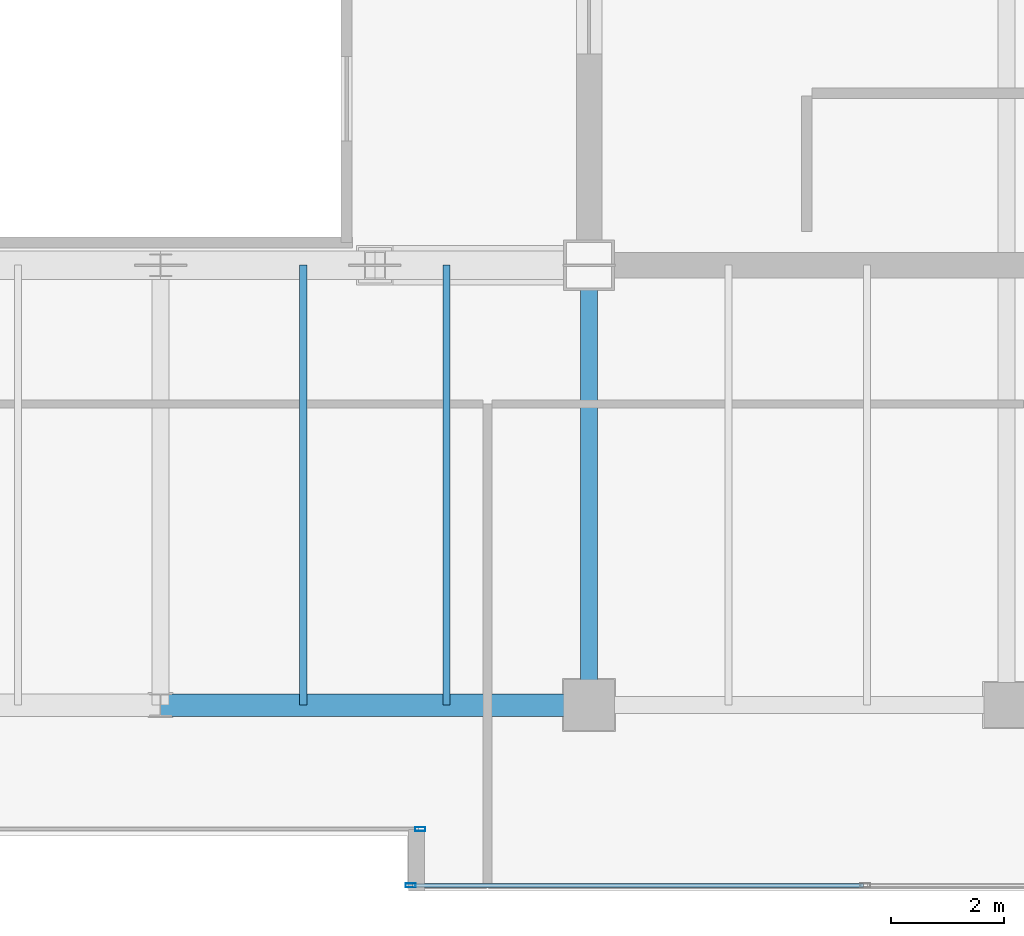
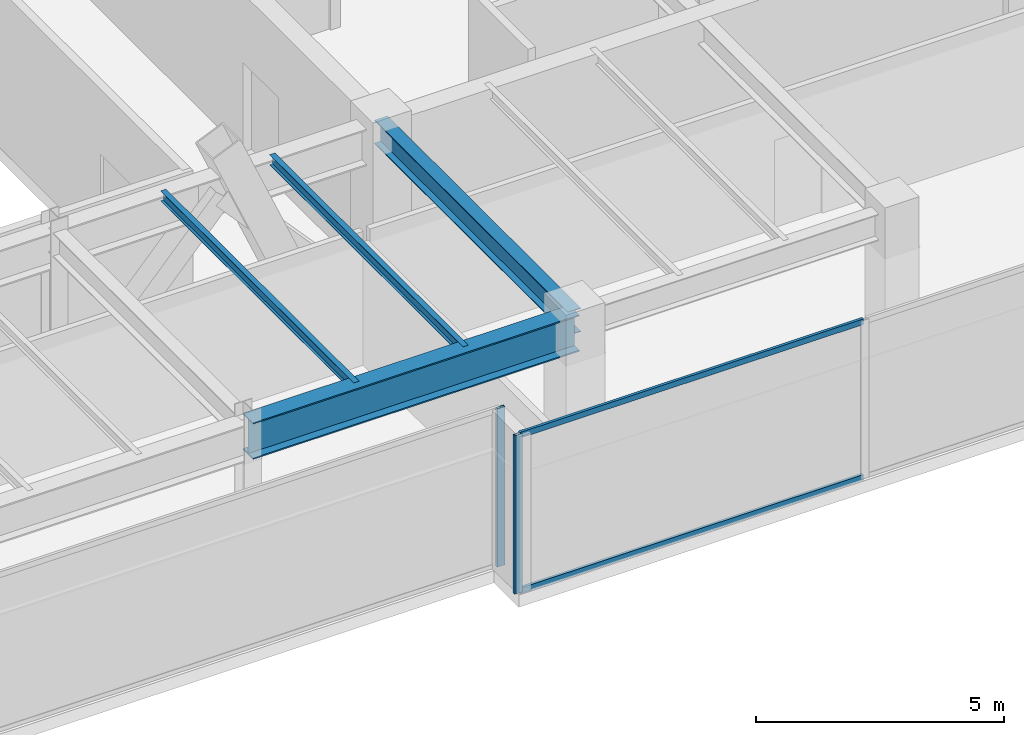
# One storey, part 11 of 32: 4 beams, 4 members, 2 elements without a shape of their own.
"""IFC4 building model written with IfcOpenShell, lengths in metres."""

from ifc_helpers import new_model, si_unit, direction, frame, origin, origin_2d, place, context, subcontext, project, spatial, hollow_rectangle, i_section, extrude, source, transform, mapped, material, layer, layer_set, material_profile, profile_set, type_object, type_shapes, element, aggregate, save


model = new_model("IFC4")

# Units and contexts
model_context = context("Model", 3, precision=1e-05, world=origin(), true_north=direction((0.0, 1.0)))
body_context = subcontext(model_context, "Body", "Model", "MODEL_VIEW")
ifc_project = project(units=[si_unit("LENGTHUNIT", "METRE"), si_unit("AREAUNIT", "SQUARE_METRE"), si_unit("VOLUMEUNIT", "CUBIC_METRE"), si_unit("PLANEANGLEUNIT", "RADIAN"), si_unit("MASSUNIT", "GRAM", prefix="KILO")], contexts=[model_context])

# Site, building, storey
site_placement = place(None, origin())
site = spatial("IfcSite", under=ifc_project, at=site_placement, CompositionType="ELEMENT")
building_placement = place(site_placement, origin())
building = spatial("IfcBuilding", under=site, at=building_placement, Name="Haelvirn Gate Laboratories", CompositionType="ELEMENT")
storey_placement = place(building_placement, frame((0.0, 0.0, 301.800048828125)))
storey = spatial("IfcBuildingStorey", under=building, at=storey_placement, Name="L72", CompositionType="ELEMENT", Elevation=301.800048828125)

# Beams
ifc_material_1 = material(Name="Steel SM420", Category="steel")
ifc_material_profile_1 = material_profile(ifc_material_1, i_section(OverallWidth=0.39990234375, OverallDepth=0.89990234375, WebThickness=0.01904296875, FlangeThickness=0.031982421875, at=origin_2d()), Name="H-900x400x19x32")
ifc_profile_set_1 = profile_set([ifc_material_profile_1], Name="Steel SM420")
beam_type_1 = type_object("IfcBeamType", Name="BM-TG-900", PredefinedType="BEAM", material=ifc_profile_set_1)
shared_shape_1 = source(origin(), body_context, "Body", "SweptSolid", [
    extrude(i_section(OverallWidth=0.39990234375, OverallDepth=0.89990234375, WebThickness=0.01904296875, FlangeThickness=0.031982421875, at=origin_2d()), origin(), (0.0, 0.0, 1.0), 7.60009765625),
])
type_shapes(beam_type_1, [shared_shape_1])
beam_1_placement = place(storey_placement, frame((45.0, 7.0, 3.449951171875), z_axis=(1.0, 0.0, 0.0), x_axis=(0.0, 1.0, 0.0)))
element("IfcBeam", 1, at=beam_1_placement, inside=storey, type_object=beam_type_1, Name="L72 Primary Girder Y7.0 (45.0-52.6)", PredefinedType="BEAM", context=body_context, shape_type="MappedRepresentation", body=[
    mapped(shared_shape_1, transform((0.0, 0.0, 0.0), scale=1.0)),
])
ifc_material_2 = material(Name="Steel SM355", Category="steel")
ifc_material_profile_2 = material_profile(ifc_material_2, i_section(OverallWidth=0.300048828125, OverallDepth=0.587890625, WebThickness=0.011962890625, FlangeThickness=0.02001953125, at=origin_2d()), Name="H-588x300x12x20")
ifc_profile_set_2 = profile_set([ifc_material_profile_2], Name="Steel SM355")
beam_type_2 = type_object("IfcBeamType", Name="BM-G-588", PredefinedType="BEAM", material=ifc_profile_set_2)
shared_shape_2 = source(origin(), body_context, "Body", "SweptSolid", [
    extrude(i_section(OverallWidth=0.300048828125, OverallDepth=0.587890625, WebThickness=0.011962890625, FlangeThickness=0.02001953125, at=origin_2d()), origin(), (0.0, 0.0, 1.0), 7.800048828125),
])
type_shapes(beam_type_2, [shared_shape_2])
beam_2_placement = place(storey_placement, frame((52.60009765625, 7.0, 3.60595703125), z_axis=(0.0, 1.0, 0.0), x_axis=(-1.0, 0.0, 0.0)))
element("IfcBeam", 2, at=beam_2_placement, inside=storey, type_object=beam_type_2, Name="L72 Frame Girder X52.6 (7.0-14.8)", PredefinedType="BEAM", context=body_context, shape_type="MappedRepresentation", body=[
    mapped(shared_shape_2, transform((0.0, 0.0, 0.0), scale=1.0)),
])
ifc_material_profile_3 = material_profile(ifc_material_2, i_section(OverallWidth=0.125, OverallDepth=0.25, WebThickness=0.006103515625, FlangeThickness=0.009033203125, at=origin_2d()), Name="H-250x125x6x9")
ifc_profile_set_3 = profile_set([ifc_material_profile_3], Name="Steel SM355")
beam_type_3 = type_object("IfcBeamType", Name="BM-J-250", PredefinedType="JOIST", material=ifc_profile_set_3)
shared_shape_3 = source(origin(), body_context, "Body", "SweptSolid", [
    extrude(i_section(OverallWidth=0.125, OverallDepth=0.25, WebThickness=0.006103515625, FlangeThickness=0.009033203125, at=origin_2d()), origin(), (0.0, 0.0, 1.0), 7.800048828125),
])
type_shapes(beam_type_3, [shared_shape_3])
for number, where, z_axis, x_axis, name in (
    (3, (47.530029296875, 7.0, 3.77490234375), (0.0, 1.0, 0.0), (-1.0, 0.0, 0.0), "L72 Composite Lab Joist South X47.53"),
    (4, (50.070068359375, 7.0, 3.77490234375), (0.0, 1.0, 0.0), (-1.0, 0.0, 0.0), "L72 Composite Lab Joist South X50.07"),
):
    element("IfcBeam", number, at=place(storey_placement, frame(where, z_axis=z_axis, x_axis=x_axis)), inside=storey, type_object=beam_type_3, Name=name, PredefinedType="JOIST", context=body_context, shape_type="MappedRepresentation", body=[
        mapped(shared_shape_3, transform((0.0, 0.0, 0.0), scale=1.0)),
    ])

# Curtain wall, member
ifc_material_3 = material(Name="Anodised bronze unitised aluminium & triple low-E glass", Category="aluminium")
ifc_layer = layer(ifc_material_3, 0.176025390625, Name="CW-SYS-4")
ifc_layer_set = layer_set([ifc_layer], Name="Anodised bronze unitised aluminium & triple low-E glass")
curtain_wall_type = type_object("IfcCurtainWallType", Name="CW-SYS-4", PredefinedType="NOTDEFINED", material=ifc_layer_set)
curtain_wall_1_placement = place(storey_placement, origin())
curtain_wall_1 = element("IfcCurtainWall", 5, at=curtain_wall_1_placement, inside=storey, type_object=curtain_wall_type, Name="L72 Unitised Curtain Wall CW-L72-P0-E02-1", PredefinedType="NOTDEFINED")
ifc_material_4 = material(Name="Extruded aluminium 6063-T6 (anodised bronze)", Category="aluminium")
ifc_material_profile_4 = material_profile(ifc_material_4, hollow_rectangle(XDim=0.070068359375, YDim=0.179931640625, WallThickness=0.0048828125, at=origin_2d()), Name="CWM-180x70x5")
ifc_profile_set_4 = profile_set([ifc_material_profile_4], Name="Extruded aluminium 6063-T6 (anodised bronze)")
member_type_1 = type_object("IfcMemberType", Name="CWM-T180", PredefinedType="MULLION", material=ifc_profile_set_4)
shared_shape_4 = source(origin(), body_context, "Body", "SweptSolid", [
    extrude(hollow_rectangle(XDim=0.070068359375, YDim=0.179931640625, WallThickness=0.0048828125, at=origin_2d()), origin(), (0.0, 0.0, 1.0), 3.89990234375),
])
type_shapes(member_type_1, [shared_shape_4])
member_1_placement = place(storey_placement, frame((49.60498046875, 4.800048828125, 0.0), z_axis=(0.0, 0.0, 1.0), x_axis=(0.0, 1.0, 0.0)))
member_1 = element("IfcMember", 6, at=member_1_placement, type_object=member_type_1, Name="CW4 mullion 3", PredefinedType="MULLION", context=body_context, shape_type="MappedRepresentation", body=[
    mapped(shared_shape_4, transform((0.0, 0.0, 0.0), scale=1.0)),
])
aggregate(curtain_wall_1, [member_1])

# Curtain wall, members
curtain_wall_2_placement = place(storey_placement, origin())
curtain_wall_2 = element("IfcCurtainWall", 7, at=curtain_wall_2_placement, inside=storey, type_object=curtain_wall_type, Name="L72 Unitised Curtain Wall CW-L72-P0-E04-1", PredefinedType="NOTDEFINED")
member_2_placement = place(storey_placement, frame((49.43505859375, 3.800048828125, 0.0), z_axis=(0.0, 0.0, 1.0), x_axis=(0.0, 1.0, 0.0)))
member_2 = element("IfcMember", 8, at=member_2_placement, type_object=member_type_1, Name="CW4 mullion 1", PredefinedType="MULLION", context=body_context, shape_type="MappedRepresentation", body=[
    mapped(shared_shape_4, transform((0.0, 0.0, 0.0), scale=1.0)),
])
ifc_material_profile_5 = material_profile(ifc_material_4, hollow_rectangle(XDim=0.06494140625, YDim=0.139892578125, WallThickness=0.00390625, at=origin_2d()), Name="CWT-140x65x4")
ifc_profile_set_5 = profile_set([ifc_material_profile_5], Name="Extruded aluminium 6063-T6 (anodised bronze)")
member_type_2 = type_object("IfcMemberType", Name="CWT-T140", PredefinedType="USERDEFINED", material=ifc_profile_set_5)
shared_shape_5 = source(origin(), body_context, "Body", "SweptSolid", [
    extrude(hollow_rectangle(XDim=0.06494140625, YDim=0.139892578125, WallThickness=0.00390625, at=origin_2d()), origin(), (0.0, 0.0, 1.0), 7.9951171875),
])
type_shapes(member_type_2, [shared_shape_5])
member_3_placement = place(storey_placement, frame((49.469970703125, 3.800048828125, 0.032470703125), z_axis=(1.0, 0.0, 0.0), x_axis=(0.0, 1.0, 0.0)))
member_3 = element("IfcMember", 9, at=member_3_placement, type_object=member_type_2, Name="CW4 transom 1.1", ObjectType="TRANSOM", PredefinedType="USERDEFINED", context=body_context, shape_type="MappedRepresentation", body=[
    mapped(shared_shape_5, transform((0.0, 0.0, 0.0), scale=1.0)),
])
member_4_placement = place(storey_placement, frame((49.469970703125, 3.800048828125, 3.867431640625), z_axis=(1.0, 0.0, 0.0), x_axis=(0.0, 1.0, 0.0)))
member_4 = element("IfcMember", 10, at=member_4_placement, type_object=member_type_2, Name="CW4 transom 1.2", ObjectType="TRANSOM", PredefinedType="USERDEFINED", context=body_context, shape_type="MappedRepresentation", body=[
    mapped(shared_shape_5, transform((0.0, 0.0, 0.0), scale=1.0)),
])
aggregate(curtain_wall_2, [member_2, member_3, member_4])

save(model, "model.ifc")
